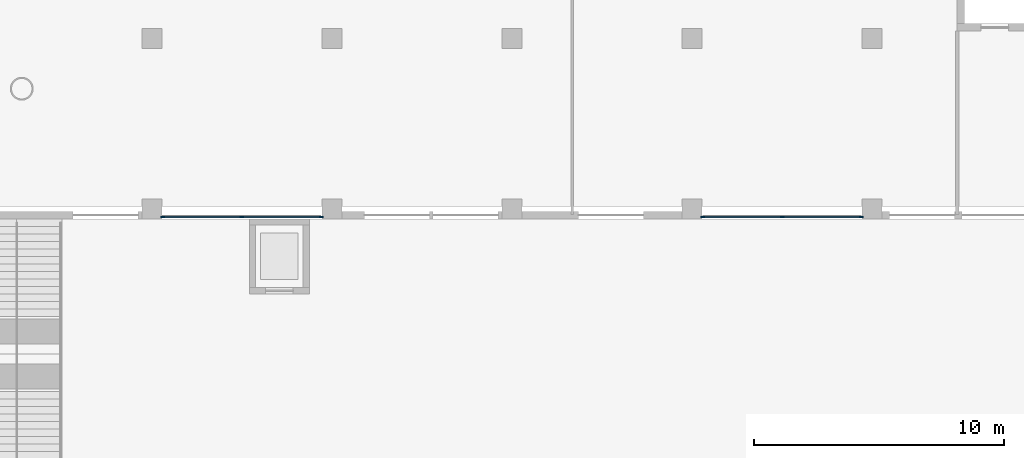
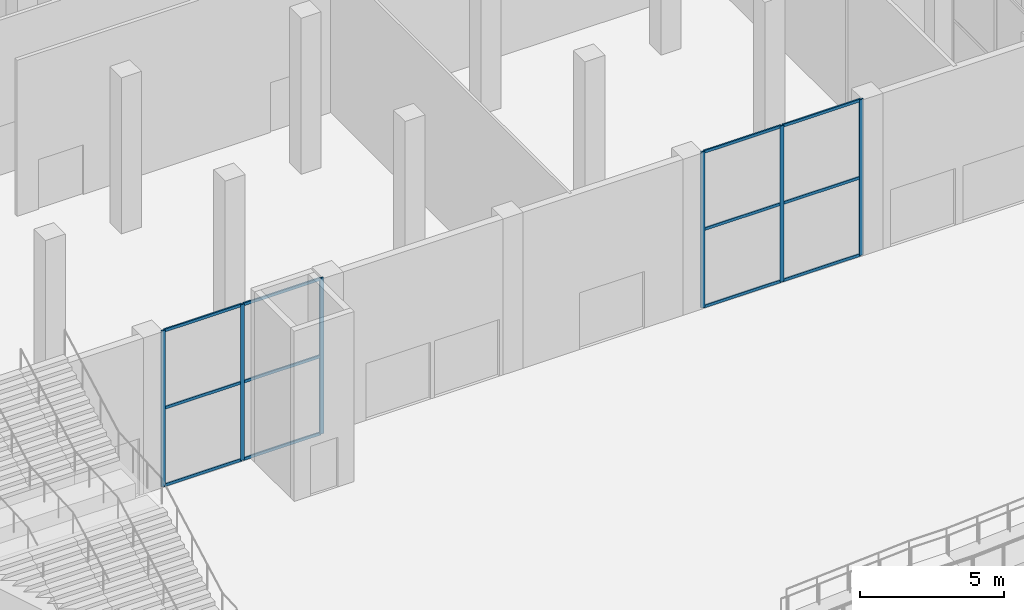
# One storey, part 7 of 44: 18 members, 2 elements without a shape of their own.
"""IFC4 building model written with IfcOpenShell, lengths in metres."""

import ifcopenshell
import ifcopenshell.guid

model = None  # the IFC model being written
_history = None  # IfcOwnerHistory: only IFC2X3 demands one
_inside = {}  # id of a spatial element -> (the spatial element, [elements in it])
_under = {}  # id of a project, library or spatial element -> (it, [spatial elements below it])
_declared = {}  # id of a project -> (the project, [libraries it declares])
_typed = {}  # id of a type object -> (the type object, [elements of that type])
_made_of = {}  # id of a material, layer set ... -> (it, [elements and type objects made of it])


def new_model(schema):
    """Start an empty IFC model of exactly this schema.

    Asked for "IFC4X3", IfcOpenShell would pick the latest addendum, in which some entities
    have other attributes; the version numbers below select the first issue.
    IFC2X3 requires an IfcOwnerHistory on every rooted entity: one is made here for all.
    """
    global model, _history
    if schema == "IFC4X3":
        model = ifcopenshell.file(schema_version=(4, 3, 0, 0))
    else:
        model = ifcopenshell.file(schema=schema)
    _inside.clear()
    _under.clear()
    _declared.clear()
    _typed.clear()
    _made_of.clear()
    _history = None
    if model.schema == "IFC2X3":
        org = make("IfcOrganization", Name="unknown")
        user = make(
            "IfcPersonAndOrganization",
            ThePerson=make("IfcPerson", FamilyName="unknown"),
            TheOrganization=org,
        )
        app = make(
            "IfcApplication",
            ApplicationDeveloper=org,
            Version="unknown",
            ApplicationFullName="unknown",
            ApplicationIdentifier="unknown",
        )
        _history = make(
            "IfcOwnerHistory",
            OwningUser=user,
            OwningApplication=app,
            ChangeAction="ADDED",
            CreationDate=0,
        )
    return model


def make(cls, **values):
    """One entity of the class cls with the attributes given. An attribute that is None is left unset."""
    return model.create_entity(
        cls, **{name: value for name, value in values.items() if value is not None}
    )


def rooted(cls, **values):
    """An entity with a GlobalId (a new one), such as an element, a storey or a relation."""
    return make(cls, GlobalId=ifcopenshell.guid.new(), OwnerHistory=_history, **values)


def si_unit(unit_type, name, prefix=None):
    """IfcSIUnit, for example si_unit("LENGTHUNIT", "METRE", prefix="MILLI")."""
    return make("IfcSIUnit", UnitType=unit_type, Prefix=prefix, Name=name)


def assignment(units):
    """IfcUnitAssignment: the units of a project."""
    return None if units is None else make("IfcUnitAssignment", Units=units)


def point(xyz):
    """IfcCartesianPoint."""
    return None if xyz is None else make("IfcCartesianPoint", Coordinates=xyz)


def direction(xyz):
    """IfcDirection."""
    return None if xyz is None else make("IfcDirection", DirectionRatios=xyz)


def frame(location, z_axis=None, x_axis=None):
    """IfcAxis2Placement3D, a coordinate frame: its origin and axes. An axis left out is left unset."""
    return make(
        "IfcAxis2Placement3D",
        Location=point(location),
        Axis=direction(z_axis),
        RefDirection=direction(x_axis),
    )


def frame_2d(location, x_axis=None):
    """IfcAxis2Placement2D, a coordinate frame in the plane: its origin and x axis."""
    return make(
        "IfcAxis2Placement2D", Location=point(location), RefDirection=direction(x_axis)
    )


def origin():
    """The frame at (0, 0, 0) with its axes left unset."""
    return frame((0.0, 0.0, 0.0))


def origin_2d():
    """The frame at (0, 0) in the plane with its x axis left unset."""
    return frame_2d((0.0, 0.0))


def place(relative_to, where):
    """IfcLocalPlacement: puts the frame where relative to a parent placement (None: the world)."""
    return make(
        "IfcLocalPlacement", PlacementRelTo=relative_to, RelativePlacement=where
    )


def context(
    kind, dimensions, precision=None, world=None, true_north=None, identifier=None
):
    """IfcGeometricRepresentationContext, for example the 3D "Model" context."""
    return make(
        "IfcGeometricRepresentationContext",
        ContextIdentifier=identifier,
        ContextType=kind,
        CoordinateSpaceDimension=dimensions,
        Precision=precision,
        WorldCoordinateSystem=world,
        TrueNorth=true_north,
    )


def subcontext(parent, identifier, kind, view, scale=None):
    """IfcGeometricRepresentationSubContext, for example "Body" below "Model"."""
    return make(
        "IfcGeometricRepresentationSubContext",
        ContextIdentifier=identifier,
        ContextType=kind,
        ParentContext=parent,
        TargetScale=scale,
        TargetView=view,
    )


def project(units=None, contexts=None):
    """IfcProject with its units and contexts."""
    return rooted(
        "IfcProject",
        Name="project",
        RepresentationContexts=contexts,
        UnitsInContext=assignment(units),
    )


def spatial(cls, under=None, at=None, **own):
    """A site, building, storey or space (cls), placed at a placement, below another one or the project."""
    s = rooted(cls, ObjectPlacement=at, **own)
    if under is not None:
        _under.setdefault(under.id(), (under, []))[1].append(s)
    return s


def profile(cls, at=None, kind="AREA", **sizes):
    """A parametric profile (cls). Its sizes go by their IFC names, for example OverallWidth=200.0."""
    return make(cls, ProfileType=kind, Position=at, **sizes)


def rectangle(**sizes):
    """IfcRectangleProfileDef."""
    return profile("IfcRectangleProfileDef", **sizes)


def extrude(swept, where, along, depth):
    """IfcExtrudedAreaSolid: the profile swept, set in the frame where, extruded along a direction by depth."""
    return make(
        "IfcExtrudedAreaSolid",
        SweptArea=swept,
        Position=where,
        ExtrudedDirection=direction(along),
        Depth=depth,
    )


def shape(context_of_items, identifier, shape_type, items):
    """IfcShapeRepresentation: the items that make up one representation, for example the "Body"."""
    return make(
        "IfcShapeRepresentation",
        ContextOfItems=context_of_items,
        RepresentationIdentifier=identifier,
        RepresentationType=shape_type,
        Items=items,
    )


def material(Name=None, Category=None):
    """IfcMaterial."""
    return make("IfcMaterial", Name=Name, Category=Category)


def material_profile(
    of_material, cross_section, Name=None, Category=None, Priority=None
):
    """IfcMaterialProfile: a cross section and its material."""
    return make(
        "IfcMaterialProfile",
        Name=Name,
        Material=of_material,
        Profile=cross_section,
        Priority=Priority,
        Category=Category,
    )


def profile_set(profiles, Name=None, composite=None):
    """IfcMaterialProfileSet."""
    return make(
        "IfcMaterialProfileSet",
        Name=Name,
        MaterialProfiles=profiles,
        CompositeProfile=composite,
    )


def made_of(thing, what):
    """Note that an element or type object is made of a material, layer set ...; save() writes the relation."""
    if what is not None:
        _made_of.setdefault(what.id(), (what, []))[1].append(thing)
    return thing


def type_object(cls, material=None, **own):
    """A type object (cls), such as IfcWallType, which elements share."""
    return made_of(rooted(cls, **own), material)


def element(
    cls,
    number,
    at=None,
    inside=None,
    cuts=None,
    type_object=None,
    material=None,
    context=None,
    identifier="Body",
    shape_type=None,
    held_by="IfcProductDefinitionShape",
    body=None,
    shapes=None,
    **own,
):
    """One element of the class cls, such as IfcWall. Its Tag is "e" and its number.

    at: its placement. inside: the storey or other place that contains it. cuts: it is an
    opening in that element (IfcRelVoidsElement). A single representation is given by context,
    identifier, shape_type and body (its items); several are given by shapes. held_by: the class
    of the entity that holds the representations. save() writes the other relations.
    """
    e = rooted(cls, Tag="e%d" % number, ObjectPlacement=at, **own)
    if body is not None:
        shapes = [shape(context, identifier, shape_type, body)]
    if shapes is not None:
        e.Representation = make(held_by, Representations=shapes)
    if inside is not None:
        _inside.setdefault(inside.id(), (inside, []))[1].append(e)
    if cuts is not None:
        rooted(
            "IfcRelVoidsElement", RelatingBuildingElement=cuts, RelatedOpeningElement=e
        )
    if type_object is not None:
        _typed.setdefault(type_object.id(), (type_object, []))[1].append(e)
    return made_of(e, material)


def aggregate(whole, parts):
    """IfcRelAggregates: a whole, such as a stair, and the parts it consists of."""
    return rooted("IfcRelAggregates", RelatingObject=whole, RelatedObjects=parts)


def save(model, path):
    """Write the relations noted so far, then the file.

    IfcRelAggregates (storeys below a building ...), IfcRelContainedInSpatialStructure (elements
    in a storey), IfcRelDefinesByType, IfcRelAssociatesMaterial and IfcRelDeclares: one each for
    every whole, place, type object, material and project.
    """
    for whole, parts in _under.values():
        aggregate(whole, parts)
    for where, things in _inside.values():
        rooted(
            "IfcRelContainedInSpatialStructure",
            RelatedElements=things,
            RelatingStructure=where,
        )
    for kind, things in _typed.values():
        rooted("IfcRelDefinesByType", RelatedObjects=things, RelatingType=kind)
    for what, things in _made_of.values():
        rooted("IfcRelAssociatesMaterial", RelatedObjects=things, RelatingMaterial=what)
    for by, libraries in _declared.values():
        rooted("IfcRelDeclares", RelatingContext=by, RelatedDefinitions=libraries)
    model.write(path)


model = new_model("IFC4")

# Units and contexts
model_context = context("Model", 3, precision=1e-05, world=origin(), true_north=direction((0.0, 1.0)))
body_context = subcontext(model_context, "Body", "Model", "MODEL_VIEW")
ifc_project = project(units=[si_unit("LENGTHUNIT", "METRE"), si_unit("AREAUNIT", "SQUARE_METRE"), si_unit("VOLUMEUNIT", "CUBIC_METRE"), si_unit("PLANEANGLEUNIT", "RADIAN"), si_unit("MASSUNIT", "GRAM", prefix="KILO")], contexts=[model_context])

# Site, building, storey
site_placement = place(None, origin())
site = spatial("IfcSite", under=ifc_project, at=site_placement, CompositionType="ELEMENT")
building_placement = place(site_placement, origin())
building = spatial("IfcBuilding", under=site, at=building_placement, Name="Fustian Cross Tower", CompositionType="ELEMENT")
storey_placement = place(building_placement, origin())
storey = spatial("IfcBuildingStorey", under=building, at=storey_placement, Name="L00", CompositionType="ELEMENT", Elevation=0.0)

# Curtain wall, members
ifc_material_1 = material(Name="Glass", Category="glass")
curtain_wall_type = type_object("IfcCurtainWallType", Name="CW3 CURTAIN WALL", PredefinedType="NOTDEFINED", material=ifc_material_1)
curtain_wall_1_placement = place(storey_placement, origin())
curtain_wall_1 = element("IfcCurtainWall", 1, at=curtain_wall_1_placement, inside=storey, type_object=curtain_wall_type, Name="Curtain wall CW3", PredefinedType="NOTDEFINED")
ifc_material_2 = material(Name="Aluminium alloy 6063", Category="aluminium")
ifc_material_profile_1 = material_profile(ifc_material_2, rectangle(XDim=0.06005859375, YDim=0.159912109375, at=origin_2d()), Name="CW3 MULLION 60x160")
ifc_profile_set_1 = profile_set([ifc_material_profile_1], Name="Aluminium alloy 6063")
member_type_1 = type_object("IfcMemberType", Name="CW3 MULLION 60x160", PredefinedType="MULLION", material=ifc_profile_set_1)
member_1_placement = place(storey_placement, frame((14.830078125, -50.320068359375, 0.0), z_axis=(0.0, 0.0, 1.0), x_axis=(0.0, 1.0, 0.0)))
member_1 = element("IfcMember", 2, at=member_1_placement, type_object=member_type_1, Name="CW3 mullion 1", PredefinedType="MULLION", context=body_context, shape_type="SweptSolid", body=[
    extrude(rectangle(XDim=0.06005859375, YDim=0.159912109375, at=origin_2d()), origin(), (0.0, 0.0, 1.0), 6.60009765625),
])
member_2_placement = place(storey_placement, frame((18.0, -50.320068359375, 0.0), z_axis=(0.0, 0.0, 1.0), x_axis=(0.0, 1.0, 0.0)))
member_2 = element("IfcMember", 3, at=member_2_placement, type_object=member_type_1, Name="CW3 mullion 2", PredefinedType="MULLION", context=body_context, shape_type="SweptSolid", body=[
    extrude(rectangle(XDim=0.06005859375, YDim=0.159912109375, at=origin_2d()), origin(), (0.0, 0.0, 1.0), 6.60009765625),
])
member_3_placement = place(storey_placement, frame((21.169921875, -50.320068359375, 0.0), z_axis=(0.0, 0.0, 1.0), x_axis=(0.0, 1.0, 0.0)))
member_3 = element("IfcMember", 4, at=member_3_placement, type_object=member_type_1, Name="CW3 mullion 3", PredefinedType="MULLION", context=body_context, shape_type="SweptSolid", body=[
    extrude(rectangle(XDim=0.06005859375, YDim=0.159912109375, at=origin_2d()), origin(), (0.0, 0.0, 1.0), 6.60009765625),
])

curtain_wall_2_placement = place(storey_placement, origin())
curtain_wall_2 = element("IfcCurtainWall", 5, at=curtain_wall_2_placement, inside=storey, type_object=curtain_wall_type, Name="Curtain wall CW3", PredefinedType="NOTDEFINED")
member_4_placement = place(storey_placement, frame((36.429931640625, -50.320068359375, 0.0), z_axis=(0.0, 0.0, 1.0), x_axis=(0.0, 1.0, 0.0)))
member_4 = element("IfcMember", 6, at=member_4_placement, type_object=member_type_1, Name="CW3 mullion 1", PredefinedType="MULLION", context=body_context, shape_type="SweptSolid", body=[
    extrude(rectangle(XDim=0.06005859375, YDim=0.159912109375, at=origin_2d()), origin(), (0.0, 0.0, 1.0), 6.60009765625),
])
member_5_placement = place(storey_placement, frame((39.60009765625, -50.320068359375, 0.0), z_axis=(0.0, 0.0, 1.0), x_axis=(0.0, 1.0, 0.0)))
member_5 = element("IfcMember", 7, at=member_5_placement, type_object=member_type_1, Name="CW3 mullion 2", PredefinedType="MULLION", context=body_context, shape_type="SweptSolid", body=[
    extrude(rectangle(XDim=0.06005859375, YDim=0.159912109375, at=origin_2d()), origin(), (0.0, 0.0, 1.0), 6.60009765625),
])
member_6_placement = place(storey_placement, frame((42.77001953125, -50.320068359375, 0.0), z_axis=(0.0, 0.0, 1.0), x_axis=(0.0, 1.0, 0.0)))
member_6 = element("IfcMember", 8, at=member_6_placement, type_object=member_type_1, Name="CW3 mullion 3", PredefinedType="MULLION", context=body_context, shape_type="SweptSolid", body=[
    extrude(rectangle(XDim=0.06005859375, YDim=0.159912109375, at=origin_2d()), origin(), (0.0, 0.0, 1.0), 6.60009765625),
])

# Member
ifc_material_3 = material(Name="Aluminium alloy 6063", Category="aluminium")
ifc_material_profile_2 = material_profile(ifc_material_3, rectangle(XDim=0.06005859375, YDim=0.1201171875, at=origin_2d()), Name="CW3 TRANSOM 60x120")
ifc_profile_set_2 = profile_set([ifc_material_profile_2], Name="Aluminium alloy 6063")
member_type_2 = type_object("IfcMemberType", Name="CW3 TRANSOM 60x120", PredefinedType="USERDEFINED", material=ifc_profile_set_2)
member_7_placement = place(storey_placement, frame((14.860107421875, -50.320068359375, 0.030029296875), z_axis=(1.0, 0.0, 0.0), x_axis=(0.0, 1.0, 0.0)))
member_7 = element("IfcMember", 9, at=member_7_placement, type_object=member_type_2, Name="CW3 transom 1.1", ObjectType="TRANSOM", PredefinedType="USERDEFINED", context=body_context, shape_type="SweptSolid", body=[
    extrude(rectangle(XDim=0.06005859375, YDim=0.1201171875, at=origin_2d()), origin(), (0.0, 0.0, 1.0), 3.10986328125),
])

member_8_placement = place(storey_placement, frame((14.860107421875, -50.320068359375, 3.300048828125), z_axis=(1.0, 0.0, 0.0), x_axis=(0.0, 1.0, 0.0)))
member_8 = element("IfcMember", 10, at=member_8_placement, type_object=member_type_2, Name="CW3 transom 1.2", ObjectType="TRANSOM", PredefinedType="USERDEFINED", context=body_context, shape_type="SweptSolid", body=[
    extrude(rectangle(XDim=0.06005859375, YDim=0.1201171875, at=origin_2d()), origin(), (0.0, 0.0, 1.0), 3.10986328125),
])

member_9_placement = place(storey_placement, frame((14.860107421875, -50.320068359375, 6.570068359375), z_axis=(1.0, 0.0, 0.0), x_axis=(0.0, 1.0, 0.0)))
member_9 = element("IfcMember", 11, at=member_9_placement, type_object=member_type_2, Name="CW3 transom 1.3", ObjectType="TRANSOM", PredefinedType="USERDEFINED", context=body_context, shape_type="SweptSolid", body=[
    extrude(rectangle(XDim=0.06005859375, YDim=0.1201171875, at=origin_2d()), origin(), (0.0, 0.0, 1.0), 3.10986328125),
])

member_10_placement = place(storey_placement, frame((18.030029296875, -50.320068359375, 0.030029296875), z_axis=(1.0, 0.0, 0.0), x_axis=(0.0, 1.0, 0.0)))
member_10 = element("IfcMember", 12, at=member_10_placement, type_object=member_type_2, Name="CW3 transom 2.1", ObjectType="TRANSOM", PredefinedType="USERDEFINED", context=body_context, shape_type="SweptSolid", body=[
    extrude(rectangle(XDim=0.06005859375, YDim=0.1201171875, at=origin_2d()), origin(), (0.0, 0.0, 1.0), 3.10986328125),
])

member_11_placement = place(storey_placement, frame((18.030029296875, -50.320068359375, 3.300048828125), z_axis=(1.0, 0.0, 0.0), x_axis=(0.0, 1.0, 0.0)))
member_11 = element("IfcMember", 13, at=member_11_placement, type_object=member_type_2, Name="CW3 transom 2.2", ObjectType="TRANSOM", PredefinedType="USERDEFINED", context=body_context, shape_type="SweptSolid", body=[
    extrude(rectangle(XDim=0.06005859375, YDim=0.1201171875, at=origin_2d()), origin(), (0.0, 0.0, 1.0), 3.10986328125),
])

member_12_placement = place(storey_placement, frame((18.030029296875, -50.320068359375, 6.570068359375), z_axis=(1.0, 0.0, 0.0), x_axis=(0.0, 1.0, 0.0)))
member_12 = element("IfcMember", 14, at=member_12_placement, type_object=member_type_2, Name="CW3 transom 2.3", ObjectType="TRANSOM", PredefinedType="USERDEFINED", context=body_context, shape_type="SweptSolid", body=[
    extrude(rectangle(XDim=0.06005859375, YDim=0.1201171875, at=origin_2d()), origin(), (0.0, 0.0, 1.0), 3.10986328125),
])

aggregate(curtain_wall_1, [member_1, member_2, member_3, member_7, member_8, member_9, member_10, member_11, member_12])

member_13_placement = place(storey_placement, frame((36.4599609375, -50.320068359375, 0.030029296875), z_axis=(1.0, 0.0, 0.0), x_axis=(0.0, 1.0, 0.0)))
member_13 = element("IfcMember", 15, at=member_13_placement, type_object=member_type_2, Name="CW3 transom 1.1", ObjectType="TRANSOM", PredefinedType="USERDEFINED", context=body_context, shape_type="SweptSolid", body=[
    extrude(rectangle(XDim=0.06005859375, YDim=0.1201171875, at=origin_2d()), origin(), (0.0, 0.0, 1.0), 3.110107421875),
])

member_14_placement = place(storey_placement, frame((36.4599609375, -50.320068359375, 3.300048828125), z_axis=(1.0, 0.0, 0.0), x_axis=(0.0, 1.0, 0.0)))
member_14 = element("IfcMember", 16, at=member_14_placement, type_object=member_type_2, Name="CW3 transom 1.2", ObjectType="TRANSOM", PredefinedType="USERDEFINED", context=body_context, shape_type="SweptSolid", body=[
    extrude(rectangle(XDim=0.06005859375, YDim=0.1201171875, at=origin_2d()), origin(), (0.0, 0.0, 1.0), 3.110107421875),
])

member_15_placement = place(storey_placement, frame((36.4599609375, -50.320068359375, 6.570068359375), z_axis=(1.0, 0.0, 0.0), x_axis=(0.0, 1.0, 0.0)))
member_15 = element("IfcMember", 17, at=member_15_placement, type_object=member_type_2, Name="CW3 transom 1.3", ObjectType="TRANSOM", PredefinedType="USERDEFINED", context=body_context, shape_type="SweptSolid", body=[
    extrude(rectangle(XDim=0.06005859375, YDim=0.1201171875, at=origin_2d()), origin(), (0.0, 0.0, 1.0), 3.110107421875),
])

member_16_placement = place(storey_placement, frame((39.6298828125, -50.320068359375, 0.030029296875), z_axis=(1.0, 0.0, 0.0), x_axis=(0.0, 1.0, 0.0)))
member_16 = element("IfcMember", 18, at=member_16_placement, type_object=member_type_2, Name="CW3 transom 2.1", ObjectType="TRANSOM", PredefinedType="USERDEFINED", context=body_context, shape_type="SweptSolid", body=[
    extrude(rectangle(XDim=0.06005859375, YDim=0.1201171875, at=origin_2d()), origin(), (0.0, 0.0, 1.0), 3.110107421875),
])

member_17_placement = place(storey_placement, frame((39.6298828125, -50.320068359375, 3.300048828125), z_axis=(1.0, 0.0, 0.0), x_axis=(0.0, 1.0, 0.0)))
member_17 = element("IfcMember", 19, at=member_17_placement, type_object=member_type_2, Name="CW3 transom 2.2", ObjectType="TRANSOM", PredefinedType="USERDEFINED", context=body_context, shape_type="SweptSolid", body=[
    extrude(rectangle(XDim=0.06005859375, YDim=0.1201171875, at=origin_2d()), origin(), (0.0, 0.0, 1.0), 3.110107421875),
])

member_18_placement = place(storey_placement, frame((39.6298828125, -50.320068359375, 6.570068359375), z_axis=(1.0, 0.0, 0.0), x_axis=(0.0, 1.0, 0.0)))
member_18 = element("IfcMember", 20, at=member_18_placement, type_object=member_type_2, Name="CW3 transom 2.3", ObjectType="TRANSOM", PredefinedType="USERDEFINED", context=body_context, shape_type="SweptSolid", body=[
    extrude(rectangle(XDim=0.06005859375, YDim=0.1201171875, at=origin_2d()), origin(), (0.0, 0.0, 1.0), 3.110107421875),
])

aggregate(curtain_wall_2, [member_4, member_5, member_6, member_13, member_14, member_15, member_16, member_17, member_18])

save(model, "model.ifc")
